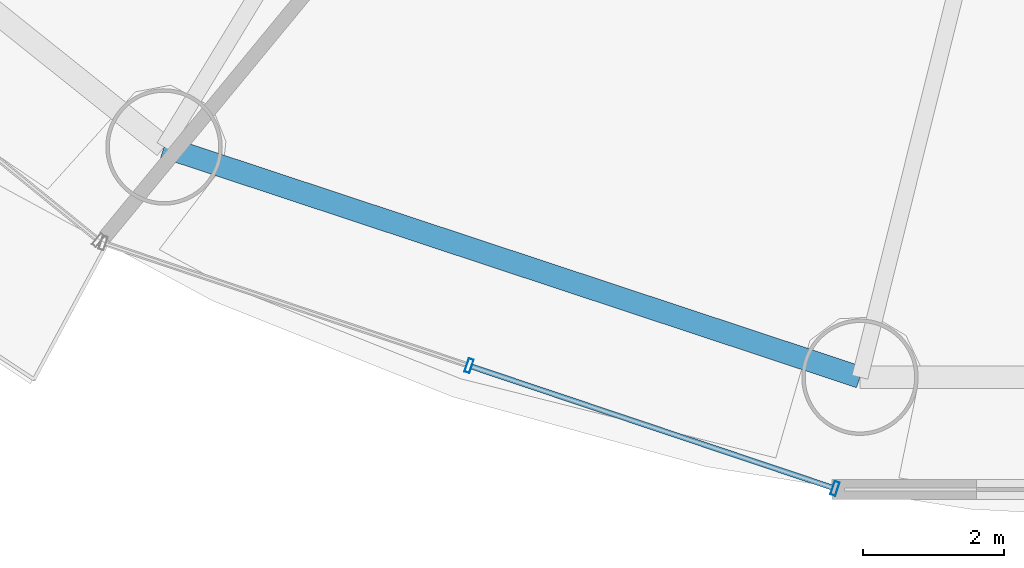
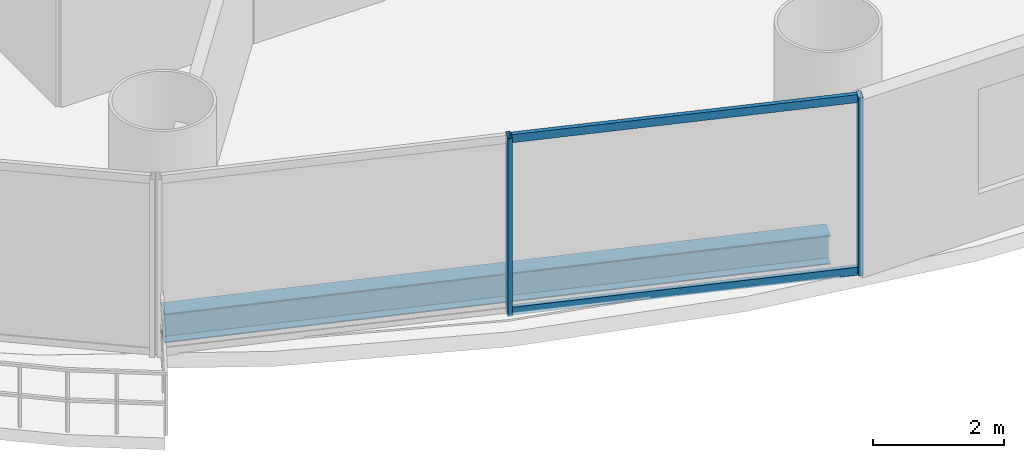
# One storey, part 4 of 28: 4 members, 1 beam, 1 element without a shape of its own.
"""IFC4 building model written with IfcOpenShell, lengths in metres."""

from ifc_helpers import new_model, si_unit, direction, frame, origin, origin_2d, place, context, subcontext, project, spatial, hollow_rectangle, i_section, extrude, source, transform, mapped, material, material_profile, profile_set, type_object, element, aggregate, save


model = new_model("IFC4")

# Units and contexts
model_context = context("Model", 3, precision=1e-05, world=origin(), true_north=direction((-0.2419218956, 0.970295726276)))
body_context = subcontext(model_context, "Body", "Model", "MODEL_VIEW")
ifc_project = project(units=[si_unit("LENGTHUNIT", "METRE"), si_unit("AREAUNIT", "SQUARE_METRE"), si_unit("VOLUMEUNIT", "CUBIC_METRE"), si_unit("PLANEANGLEUNIT", "RADIAN"), si_unit("MASSUNIT", "GRAM", prefix="KILO")], contexts=[model_context])

# Site, building, storey
site_placement = place(None, origin())
site = spatial("IfcSite", under=ifc_project, at=site_placement, CompositionType="ELEMENT")
building_placement = place(site_placement, origin())
building = spatial("IfcBuilding", under=site, at=building_placement, Name="Cobrevalo Terracotta Tower", CompositionType="ELEMENT")
storey_placement = place(building_placement, frame((0.0, 0.0, 42.0)))
storey = spatial("IfcBuildingStorey", under=building, at=storey_placement, Name="L10", CompositionType="ELEMENT", Elevation=42.0)

# Beam
ifc_material_1 = material(Name="Steel S355", Category="steel")
ifc_material_profile_1 = material_profile(ifc_material_1, i_section(OverallWidth=0.31201171875, OverallDepth=0.54296875, WebThickness=0.0126953125, FlangeThickness=0.020263671875, at=origin_2d()), Name="W 530x150")
ifc_profile_set_1 = profile_set([ifc_material_profile_1], Name="Steel S355")
beam_type = type_object("IfcBeamType", Name="Structural Spandrel W 530x150 (Steel S355)", PredefinedType="SPANDREL", material=ifc_profile_set_1)
beam_placement = place(storey_placement, frame((22.80517578125, 8.63232421875, -0.551513671875), z_axis=(0.949372202648, -0.314153498848, 0.0), x_axis=(0.314153498848, 0.949372202648, 0.0)))
element("IfcBeam", 1, at=beam_placement, inside=storey, type_object=beam_type, Name="L10 perimeter ring spandrel 11", PredefinedType="SPANDREL", context=body_context, shape_type="SweptSolid", body=[
    extrude(i_section(OverallWidth=0.31201171875, OverallDepth=0.54296875, WebThickness=0.0126953125, FlangeThickness=0.020263671875, at=origin_2d()), origin(), (0.0, 0.0, 1.0), 10.385009765625),
])

# Curtain wall, members
ifc_material_2 = material(Name="Anodized aluminium", Category="aluminium")
curtain_wall_type = type_object("IfcCurtainWallType", Name="Lower-tower unitised acoustic low-E curtain wall CW-U1", PredefinedType="NOTDEFINED", material=ifc_material_2)
curtain_wall_placement = place(storey_placement, origin())
curtain_wall = element("IfcCurtainWall", 2, at=curtain_wall_placement, inside=storey, type_object=curtain_wall_type, Name="L10 curtain wall CW-L10-S11", PredefinedType="NOTDEFINED")
ifc_material_profile_2 = material_profile(ifc_material_2, hollow_rectangle(XDim=0.074951171875, YDim=0.199951171875, WallThickness=0.0048828125, at=origin_2d()), Name="CWM 75x200")
ifc_profile_set_2 = profile_set([ifc_material_profile_2], Name="Anodized aluminium")
member_type_1 = type_object("IfcMemberType", Name="Lower/mid tower unitised mullion 75x200", PredefinedType="MULLION", material=ifc_profile_set_2)
shared_shape_1 = source(origin(), body_context, "Body", "SweptSolid", [
    extrude(hollow_rectangle(XDim=0.074951171875, YDim=0.199951171875, WallThickness=0.0048828125, at=origin_2d()), origin(), (0.0, 0.0, 1.0), 3.320068359375),
])
member_1_placement = place(storey_placement, frame((27.126708984375, 5.533203125, 0.0), z_axis=(0.0, 0.0, 1.0), x_axis=(0.948046393597, -0.318132103987, 0.0)))
member_1 = element("IfcMember", 3, at=member_1_placement, type_object=member_type_1, Name="CW-L10-S11 vertical mullion 02", PredefinedType="MULLION", context=body_context, shape_type="MappedRepresentation", body=[
    mapped(shared_shape_1, transform((0.0, 0.0, 0.0), scale=1.0)),
])
member_2_placement = place(storey_placement, frame((32.310302734375, 3.793701171875, 0.0), z_axis=(0.0, 0.0, 1.0), x_axis=(0.948046393597, -0.318132103987, 0.0)))
member_2 = element("IfcMember", 4, at=member_2_placement, type_object=member_type_1, Name="CW-L10-S11 vertical mullion 03", PredefinedType="MULLION", context=body_context, shape_type="MappedRepresentation", body=[
    mapped(shared_shape_1, transform((0.0, 0.0, 0.0), scale=1.0)),
])
ifc_material_profile_3 = material_profile(ifc_material_2, hollow_rectangle(XDim=0.074951171875, YDim=0.14990234375, WallThickness=0.00439453125, at=origin_2d()), Name="CWT 75x150")
ifc_profile_set_3 = profile_set([ifc_material_profile_3], Name="Anodized aluminium")
member_type_2 = type_object("IfcMemberType", Name="Tower unitised aluminium transom 75x150", PredefinedType="USERDEFINED", material=ifc_profile_set_3)
shared_shape_2 = source(origin(), body_context, "Body", "SweptSolid", [
    extrude(hollow_rectangle(XDim=0.074951171875, YDim=0.14990234375, WallThickness=0.00439453125, at=origin_2d()), origin(), (0.0, 0.0, 1.0), 5.387939453125),
])
member_3_placement = place(storey_placement, frame((27.16455078125, 5.5205078125, 0.050048828125), z_axis=(0.94804244582, -0.318143868278, 0.0), x_axis=(0.318143868278, 0.94804244582, 0.0)))
member_3 = element("IfcMember", 5, at=member_3_placement, type_object=member_type_2, Name="CW-L10-S11 transom B02-T1", ObjectType="TRANSOM", PredefinedType="USERDEFINED", context=body_context, shape_type="MappedRepresentation", body=[
    mapped(shared_shape_2, transform((0.0, 0.0, 0.0), scale=1.0)),
])
member_4_placement = place(storey_placement, frame((27.16455078125, 5.5205078125, 3.27001953125), z_axis=(0.94804244582, -0.318143868278, 0.0), x_axis=(0.318143868278, 0.94804244582, 0.0)))
member_4 = element("IfcMember", 6, at=member_4_placement, type_object=member_type_2, Name="CW-L10-S11 transom B02-T2", ObjectType="TRANSOM", PredefinedType="USERDEFINED", context=body_context, shape_type="MappedRepresentation", body=[
    mapped(shared_shape_2, transform((0.0, 0.0, 0.0), scale=1.0)),
])
aggregate(curtain_wall, [member_1, member_2, member_3, member_4])

save(model, "model.ifc")
